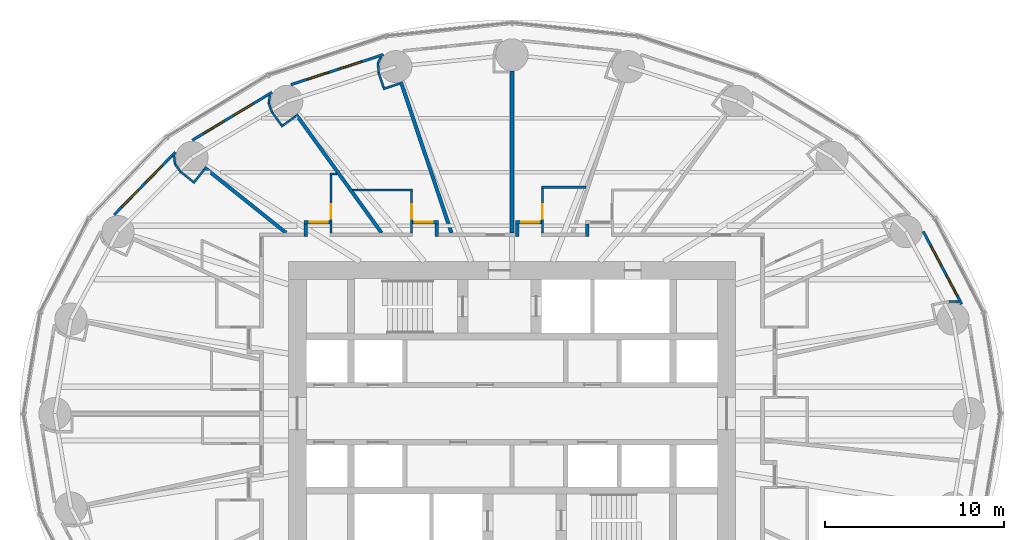
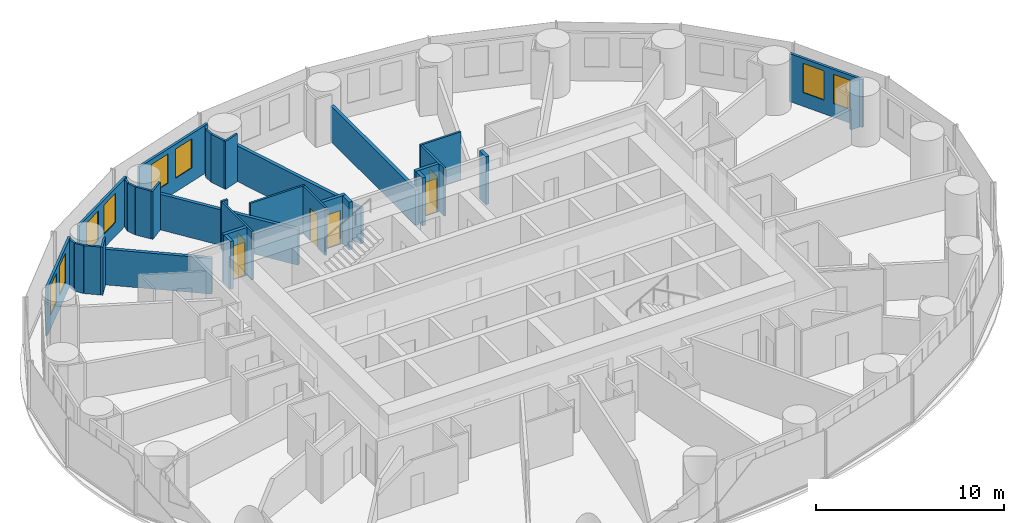
# One storey, part 11 of 14: 34 walls, 8 windows, 6 doors, 14 openings.
"""IFC4 building model written with IfcOpenShell, lengths in metres."""

from ifc_helpers import new_model, si_unit, direction, frame, frame_2d, origin, place, context, subcontext, project, spatial, rectangle, extrude, material, layer, layer_set, type_object, element, fill, save


model = new_model("IFC4")

# Units and contexts
model_context = context("Model", 3, precision=1e-05, world=origin(), true_north=direction((0.0, 1.0)))
body_context = subcontext(model_context, "Body", "Model", "MODEL_VIEW")
ifc_project = project(units=[si_unit("LENGTHUNIT", "METRE"), si_unit("AREAUNIT", "SQUARE_METRE"), si_unit("VOLUMEUNIT", "CUBIC_METRE"), si_unit("PLANEANGLEUNIT", "RADIAN"), si_unit("MASSUNIT", "GRAM", prefix="KILO")], contexts=[model_context])

# Site, building, storey
site_placement = place(None, origin())
site = spatial("IfcSite", under=ifc_project, at=site_placement, CompositionType="ELEMENT")
building_placement = place(site_placement, origin())
building = spatial("IfcBuilding", under=site, at=building_placement, Name="Hankou Lantern Tower", CompositionType="ELEMENT")
storey_placement = place(building_placement, frame((0.0, 0.0, 36.0)))
storey = spatial("IfcBuildingStorey", under=building, at=storey_placement, Name="L07", CompositionType="ELEMENT", Elevation=36.0)

# Wall, openings, windows
ifc_material_1 = material(Name="Aluminium spandrel panel on steel studs", Category="steel")
ifc_layer_1 = layer(ifc_material_1, 0.14990234375)
ifc_layer_set_1 = layer_set([ifc_layer_1], Name="Aluminium spandrel panel on steel studs")
wall_type_1 = type_object("IfcWallType", Name="EW1 INNER SKIN WALL 150", PredefinedType="ELEMENTEDWALL", material=ifc_layer_set_1)
wall_1_placement = place(storey_placement, frame((25.138671875, 6.11279296875, 0.0), z_axis=(0.0, 0.0, 1.0), x_axis=(-0.467303182954, 0.884097129959, 0.0)))
wall_1 = element("IfcWall", 1, at=wall_1_placement, inside=storey, type_object=wall_type_1, Name="Inner skin R02-R03 L07", PredefinedType="ELEMENTEDWALL", context=body_context, shape_type="SweptSolid", body=[
    extrude(rectangle(XDim=4.6064453125, YDim=0.14990234375, at=frame_2d((2.30322265625, 0.0))), origin(), (0.0, 0.0, 1.0), 3.1201171875),
])
opening_1_placement = place(wall_1_placement, frame((0.531494140625, 0.0, 0.89990234375)))
opening_1 = element("IfcOpeningElement", 2, at=opening_1_placement, cuts=wall_1, Name="Opening W9", PredefinedType="OPENING", context=body_context, shape_type="SweptSolid", body=[
    extrude(rectangle(XDim=1.300048828125, YDim=1.89990234375, at=frame_2d((0.64990234375, 0.949951171875))), frame((0.0, 0.0849609375, 0.0), z_axis=(0.0, -1.0, 0.0), x_axis=(1.0, 0.0, 0.0)), (0.0, 0.0, 1.0), 0.169921875),
])
opening_2_placement = place(wall_1_placement, frame((2.431640625, 0.0, 0.89990234375)))
opening_2 = element("IfcOpeningElement", 3, at=opening_2_placement, cuts=wall_1, Name="Opening W9", PredefinedType="OPENING", context=body_context, shape_type="SweptSolid", body=[
    extrude(rectangle(XDim=1.300048828125, YDim=1.89990234375, at=frame_2d((0.64990234375, 0.949951171875))), frame((0.0, 0.0849609375, 0.0), z_axis=(0.0, -1.0, 0.0), x_axis=(1.0, 0.0, 0.0)), (0.0, 0.0, 1.0), 0.169921875),
])
ifc_material_2 = material(Name="Aluminium framed double glazed window", Category="aluminium")
window_type = type_object("IfcWindowType", Name="W9 GUEST ROOM WINDOW 1300X1900", PartitioningType="DOUBLE_PANEL_VERTICAL", PredefinedType="WINDOW", material=ifc_material_2)
window_1_placement = place(opening_1_placement, origin())
window_1 = element("IfcWindow", 4, at=window_1_placement, inside=storey, type_object=window_type, Name="Window R02.1 L07", OverallHeight=1.89990234375, OverallWidth=1.300048828125, PartitioningType="SINGLE_PANEL", PredefinedType="WINDOW", context=body_context, shape_type="SweptSolid", body=[
    extrude(rectangle(XDim=1.300048828125, YDim=1.89990234375, at=frame_2d((0.64990234375, 0.949951171875))), frame((0.0, 0.030029296875, 0.0), z_axis=(0.0, -1.0, 0.0), x_axis=(1.0, 0.0, 0.0)), (0.0, 0.0, 1.0), 0.06005859375),
])
fill(opening_1, window_1)
window_2_placement = place(opening_2_placement, origin())
window_2 = element("IfcWindow", 5, at=window_2_placement, inside=storey, type_object=window_type, Name="Window R02.2 L07", OverallHeight=1.89990234375, OverallWidth=1.300048828125, PartitioningType="SINGLE_PANEL", PredefinedType="WINDOW", context=body_context, shape_type="SweptSolid", body=[
    extrude(rectangle(XDim=1.300048828125, YDim=1.89990234375, at=frame_2d((0.64990234375, 0.949951171875))), frame((0.0, 0.030029296875, 0.0), z_axis=(0.0, -1.0, 0.0), x_axis=(1.0, 0.0, 0.0)), (0.0, 0.0, 1.0), 0.06005859375),
])
fill(opening_2, window_2)

wall_2_placement = place(storey_placement, frame((-7.188232421875, 20.06494140625, 0.0), z_axis=(0.0, 0.0, 1.0), x_axis=(-0.951138486029, -0.308764603532, 0.0)))
wall_2 = element("IfcWall", 6, at=wall_2_placement, inside=storey, type_object=wall_type_1, Name="Inner skin R08-R09 L07", PredefinedType="ELEMENTEDWALL", context=body_context, shape_type="SweptSolid", body=[
    extrude(rectangle(XDim=5.444091796875, YDim=0.14990234375, at=frame_2d((2.72216796875, 0.0))), origin(), (0.0, 0.0, 1.0), 3.1201171875),
])
opening_3_placement = place(wall_2_placement, frame((1.2841796875, 0.0, 0.89990234375)))
opening_3 = element("IfcOpeningElement", 7, at=opening_3_placement, cuts=wall_2, Name="Opening W9", PredefinedType="OPENING", context=body_context, shape_type="SweptSolid", body=[
    extrude(rectangle(XDim=1.300048828125, YDim=1.89990234375, at=frame_2d((0.64990234375, 0.949951171875))), frame((0.0, 0.0849609375, 0.0), z_axis=(0.0, -1.0, 0.0), x_axis=(1.0, 0.0, 0.0)), (0.0, 0.0, 1.0), 0.169921875),
])
opening_4_placement = place(wall_2_placement, frame((3.18408203125, 0.0, 0.89990234375)))
opening_4 = element("IfcOpeningElement", 8, at=opening_4_placement, cuts=wall_2, Name="Opening W9", PredefinedType="OPENING", context=body_context, shape_type="SweptSolid", body=[
    extrude(rectangle(XDim=1.300048828125, YDim=1.89990234375, at=frame_2d((0.64990234375, 0.949951171875))), frame((0.0, 0.0849609375, 0.0), z_axis=(0.0, -1.0, 0.0), x_axis=(1.0, 0.0, 0.0)), (0.0, 0.0, 1.0), 0.169921875),
])
window_3_placement = place(opening_3_placement, origin())
window_3 = element("IfcWindow", 9, at=window_3_placement, inside=storey, type_object=window_type, Name="Window R08.1 L07", OverallHeight=1.89990234375, OverallWidth=1.300048828125, PartitioningType="SINGLE_PANEL", PredefinedType="WINDOW", context=body_context, shape_type="SweptSolid", body=[
    extrude(rectangle(XDim=1.300048828125, YDim=1.89990234375, at=frame_2d((0.64990234375, 0.949951171875))), frame((0.0, 0.030029296875, 0.0), z_axis=(0.0, -1.0, 0.0), x_axis=(1.0, 0.0, 0.0)), (0.0, 0.0, 1.0), 0.06005859375),
])
fill(opening_3, window_3)
window_4_placement = place(opening_4_placement, origin())
window_4 = element("IfcWindow", 10, at=window_4_placement, inside=storey, type_object=window_type, Name="Window R08.2 L07", OverallHeight=1.89990234375, OverallWidth=1.300048828125, PartitioningType="SINGLE_PANEL", PredefinedType="WINDOW", context=body_context, shape_type="SweptSolid", body=[
    extrude(rectangle(XDim=1.300048828125, YDim=1.89990234375, at=frame_2d((0.64990234375, 0.949951171875))), frame((0.0, 0.030029296875, 0.0), z_axis=(0.0, -1.0, 0.0), x_axis=(1.0, 0.0, 0.0)), (0.0, 0.0, 1.0), 0.06005859375),
])
fill(opening_4, window_4)

wall_3_placement = place(storey_placement, frame((-13.412109375, 17.957275390625, 0.0), z_axis=(0.0, 0.0, 1.0), x_axis=(-0.856958191554, -0.515385931054, 0.0)))
wall_3 = element("IfcWall", 11, at=wall_3_placement, inside=storey, type_object=wall_type_1, Name="Inner skin R09-R10 L07", PredefinedType="ELEMENTEDWALL", context=body_context, shape_type="SweptSolid", body=[
    extrude(rectangle(XDim=5.201171875, YDim=0.14990234375, at=frame_2d((2.6005859375, 0.0))), origin(), (0.0, 0.0, 1.0), 3.1201171875),
])
opening_5_placement = place(wall_3_placement, frame((1.22509765625, 0.0, 0.89990234375)))
opening_5 = element("IfcOpeningElement", 12, at=opening_5_placement, cuts=wall_3, Name="Opening W9", PredefinedType="OPENING", context=body_context, shape_type="SweptSolid", body=[
    extrude(rectangle(XDim=1.300048828125, YDim=1.89990234375, at=frame_2d((0.64990234375, 0.949951171875))), frame((0.0, 0.0849609375, 0.0), z_axis=(0.0, -1.0, 0.0), x_axis=(1.0, 0.0, 0.0)), (0.0, 0.0, 1.0), 0.169921875),
])
opening_6_placement = place(wall_3_placement, frame((3.125, 0.0, 0.89990234375)))
opening_6 = element("IfcOpeningElement", 13, at=opening_6_placement, cuts=wall_3, Name="Opening W9", PredefinedType="OPENING", context=body_context, shape_type="SweptSolid", body=[
    extrude(rectangle(XDim=1.300048828125, YDim=1.89990234375, at=frame_2d((0.64990234375, 0.949951171875))), frame((0.0, 0.0849609375, 0.0), z_axis=(0.0, -1.0, 0.0), x_axis=(1.0, 0.0, 0.0)), (0.0, 0.0, 1.0), 0.169921875),
])
window_5_placement = place(opening_5_placement, origin())
window_5 = element("IfcWindow", 14, at=window_5_placement, inside=storey, type_object=window_type, Name="Window R09.1 L07", OverallHeight=1.89990234375, OverallWidth=1.300048828125, PartitioningType="SINGLE_PANEL", PredefinedType="WINDOW", context=body_context, shape_type="SweptSolid", body=[
    extrude(rectangle(XDim=1.300048828125, YDim=1.89990234375, at=frame_2d((0.64990234375, 0.949951171875))), frame((0.0, 0.030029296875, 0.0), z_axis=(0.0, -1.0, 0.0), x_axis=(1.0, 0.0, 0.0)), (0.0, 0.0, 1.0), 0.06005859375),
])
fill(opening_5, window_5)
window_6_placement = place(opening_6_placement, origin())
window_6 = element("IfcWindow", 15, at=window_6_placement, inside=storey, type_object=window_type, Name="Window R09.2 L07", OverallHeight=1.89990234375, OverallWidth=1.300048828125, PartitioningType="SINGLE_PANEL", PredefinedType="WINDOW", context=body_context, shape_type="SweptSolid", body=[
    extrude(rectangle(XDim=1.300048828125, YDim=1.89990234375, at=frame_2d((0.64990234375, 0.949951171875))), frame((0.0, 0.030029296875, 0.0), z_axis=(0.0, -1.0, 0.0), x_axis=(1.0, 0.0, 0.0)), (0.0, 0.0, 1.0), 0.06005859375),
])
fill(opening_6, window_6)

wall_4_placement = place(storey_placement, frame((-18.8134765625, 14.606689453125, 0.0), z_axis=(0.0, 0.0, 1.0), x_axis=(-0.699612594083, -0.714522370679, 0.0)))
wall_4 = element("IfcWall", 16, at=wall_4_placement, inside=storey, type_object=wall_type_1, Name="Inner skin R10-R11 L07", PredefinedType="ELEMENTEDWALL", context=body_context, shape_type="SweptSolid", body=[
    extrude(rectangle(XDim=4.89599609375, YDim=0.14990234375, at=frame_2d((2.447998046875, 0.0))), origin(), (0.0, 0.0, 1.0), 3.1201171875),
])
opening_7_placement = place(wall_4_placement, frame((1.076904296875, 0.0, 0.89990234375)))
opening_7 = element("IfcOpeningElement", 17, at=opening_7_placement, cuts=wall_4, Name="Opening W9", PredefinedType="OPENING", context=body_context, shape_type="SweptSolid", body=[
    extrude(rectangle(XDim=1.300048828125, YDim=1.89990234375, at=frame_2d((0.64990234375, 0.949951171875))), frame((0.0, 0.0849609375, 0.0), z_axis=(0.0, -1.0, 0.0), x_axis=(1.0, 0.0, 0.0)), (0.0, 0.0, 1.0), 0.169921875),
])
opening_8_placement = place(wall_4_placement, frame((2.976806640625, 0.0, 0.89990234375)))
opening_8 = element("IfcOpeningElement", 18, at=opening_8_placement, cuts=wall_4, Name="Opening W9", PredefinedType="OPENING", context=body_context, shape_type="SweptSolid", body=[
    extrude(rectangle(XDim=1.300048828125, YDim=1.89990234375, at=frame_2d((0.64990234375, 0.949951171875))), frame((0.0, 0.0849609375, 0.0), z_axis=(0.0, -1.0, 0.0), x_axis=(1.0, 0.0, 0.0)), (0.0, 0.0, 1.0), 0.169921875),
])
window_7_placement = place(opening_7_placement, origin())
window_7 = element("IfcWindow", 19, at=window_7_placement, inside=storey, type_object=window_type, Name="Window R10.1 L07", OverallHeight=1.89990234375, OverallWidth=1.300048828125, PartitioningType="SINGLE_PANEL", PredefinedType="WINDOW", context=body_context, shape_type="SweptSolid", body=[
    extrude(rectangle(XDim=1.300048828125, YDim=1.89990234375, at=frame_2d((0.64990234375, 0.949951171875))), frame((0.0, 0.030029296875, 0.0), z_axis=(0.0, -1.0, 0.0), x_axis=(1.0, 0.0, 0.0)), (0.0, 0.0, 1.0), 0.06005859375),
])
fill(opening_7, window_7)
window_8_placement = place(opening_8_placement, origin())
window_8 = element("IfcWindow", 20, at=window_8_placement, inside=storey, type_object=window_type, Name="Window R10.2 L07", OverallHeight=1.89990234375, OverallWidth=1.300048828125, PartitioningType="SINGLE_PANEL", PredefinedType="WINDOW", context=body_context, shape_type="SweptSolid", body=[
    extrude(rectangle(XDim=1.300048828125, YDim=1.89990234375, at=frame_2d((0.64990234375, 0.949951171875))), frame((0.0, 0.030029296875, 0.0), z_axis=(0.0, -1.0, 0.0), x_axis=(1.0, 0.0, 0.0)), (0.0, 0.0, 1.0), 0.06005859375),
])
fill(opening_8, window_8)

# Walls
ifc_material_3 = material(Name="Masonry lightweight concrete block", Category="masonry")
ifc_layer_2 = layer(ifc_material_3, 0.199951171875)
ifc_layer_set_2 = layer_set([ifc_layer_2], Name="Masonry lightweight concrete block")
wall_type_2 = type_object("IfcWallType", Name="IW1 GUEST ROOM PARTY WALL 200", PredefinedType="PARTITIONING", material=ifc_layer_set_2)
wall_5_placement = place(storey_placement, frame((-7.2890625, 10.10009765625, 0.0), z_axis=(0.0, 0.0, 1.0), x_axis=(-0.585216319319, 0.810877216108, 0.0)))
element("IfcWall", 21, at=wall_5_placement, inside=storey, type_object=wall_type_2, Name="Party wall R09", PredefinedType="PARTITIONING", context=body_context, shape_type="SweptSolid", body=[
    extrude(rectangle(XDim=8.15966796875, YDim=0.199951171875, at=frame_2d((4.079833984375, 0.0))), origin(), (0.0, 0.0, 1.0), 2.320068359375),
])
wall_6_placement = place(storey_placement, frame((-12.625, 10.10009765625, 0.0), z_axis=(0.0, 0.0, 1.0), x_axis=(-0.780872884676, 0.624689953479, 0.0)))
element("IfcWall", 22, at=wall_6_placement, inside=storey, type_object=wall_type_2, Name="Party wall R10", PredefinedType="PARTITIONING", context=body_context, shape_type="SweptSolid", body=[
    extrude(rectangle(XDim=5.8447265625, YDim=0.199951171875, at=frame_2d((2.92236328125, 0.0))), origin(), (0.0, 0.0, 1.0), 2.320068359375),
])
ifc_material_4 = material(Name="Masonry lightweight concrete block", Category="masonry")
ifc_layer_3 = layer(ifc_material_4, 0.199951171875)
ifc_layer_set_3 = layer_set([ifc_layer_3], Name="Masonry lightweight concrete block")
wall_type_3 = type_object("IfcWallType", Name="IW2 CORRIDOR WALL 200", PredefinedType="PARTITIONING", material=ifc_layer_set_3)
wall_7_placement = place(storey_placement, frame((4.208984375, 9.89990234375, 0.0), z_axis=(0.0, 0.0, 1.0), x_axis=(0.0, 1.0, 0.0)))
element("IfcWall", 23, at=wall_7_placement, inside=storey, type_object=wall_type_3, Name="Corridor recess wall 0707 side", PredefinedType="PARTITIONING", context=body_context, shape_type="SweptSolid", body=[
    extrude(rectangle(XDim=0.7001953125, YDim=0.199951171875, at=frame_2d((0.35009765625, 0.0))), origin(), (0.0, 0.0, 1.0), 3.1201171875),
])

# Wall, opening, door
wall_8_placement = place(storey_placement, frame((0.202880859375, 10.699951171875, 0.0), z_axis=(0.0, 0.0, 1.0), x_axis=(1.0, 0.0, 0.0)))
wall_8 = element("IfcWall", 24, at=wall_8_placement, inside=storey, type_object=wall_type_3, Name="Corridor recess wall 0708 back", PredefinedType="PARTITIONING", context=body_context, shape_type="SweptSolid", body=[
    extrude(rectangle(XDim=1.43994140625, YDim=0.199951171875, at=frame_2d((0.719970703125, 0.0))), origin(), (0.0, 0.0, 1.0), 3.1201171875),
])
opening_9_placement = place(wall_8_placement, frame((0.320068359375, 0.0, 0.0)))
opening_9 = element("IfcOpeningElement", 25, at=opening_9_placement, cuts=wall_8, Name="Opening D1", PredefinedType="OPENING", context=body_context, shape_type="SweptSolid", body=[
    extrude(rectangle(XDim=1.0, YDim=2.199951171875, at=frame_2d((0.5, 1.10009765625))), frame((0.0, 0.10986328125, 0.0), z_axis=(0.0, -1.0, 0.0), x_axis=(1.0, 0.0, 0.0)), (0.0, 0.0, 1.0), 0.219970703125),
])
ifc_material_5 = material(Name="Steel door leaf", Category="steel")
door_type_1 = type_object("IfcDoorType", Name="D1 GUEST ROOM DOOR 1000X2200", OperationType="SINGLE_SWING_LEFT", PredefinedType="DOOR", material=ifc_material_5)
door_1_placement = place(opening_9_placement, origin())
door_1 = element("IfcDoor", 26, at=door_1_placement, inside=storey, type_object=door_type_1, Name="Guest room door 0708", OperationType="SINGLE_SWING_RIGHT", OverallHeight=2.199951171875, OverallWidth=1.0, PredefinedType="DOOR", context=body_context, shape_type="SweptSolid", body=[
    extrude(rectangle(XDim=1.0, YDim=2.199951171875, at=frame_2d((0.5, 1.10009765625))), frame((0.0, 0.02490234375, 0.0), z_axis=(0.0, -1.0, 0.0), x_axis=(1.0, 0.0, 0.0)), (0.0, 0.0, 1.0), 0.050048828125),
])
fill(opening_9, door_1)

# Wall
wall_9_placement = place(storey_placement, frame((0.302978515625, 9.89990234375, 0.0), z_axis=(0.0, 0.0, 1.0), x_axis=(0.0, 1.0, 0.0)))
element("IfcWall", 27, at=wall_9_placement, inside=storey, type_object=wall_type_3, Name="Corridor recess wall 0708 side", PredefinedType="PARTITIONING", context=body_context, shape_type="SweptSolid", body=[
    extrude(rectangle(XDim=0.7001953125, YDim=0.199951171875, at=frame_2d((0.35009765625, 0.0))), origin(), (0.0, 0.0, 1.0), 3.1201171875),
])

# Wall, opening, door
wall_10_placement = place(storey_placement, frame((-5.549072265625, 10.699951171875, 0.0), z_axis=(0.0, 0.0, 1.0), x_axis=(1.0, 0.0, 0.0)))
wall_10 = element("IfcWall", 28, at=wall_10_placement, inside=storey, type_object=wall_type_3, Name="Corridor recess wall 0710 back", PredefinedType="PARTITIONING", context=body_context, shape_type="SweptSolid", body=[
    extrude(rectangle(XDim=1.43994140625, YDim=0.199951171875, at=frame_2d((0.719970703125, 0.0))), origin(), (0.0, 0.0, 1.0), 3.1201171875),
])
opening_10_placement = place(wall_10_placement, frame((0.1201171875, 0.0, 0.0)))
opening_10 = element("IfcOpeningElement", 29, at=opening_10_placement, cuts=wall_10, Name="Opening D1", PredefinedType="OPENING", context=body_context, shape_type="SweptSolid", body=[
    extrude(rectangle(XDim=1.0, YDim=2.199951171875, at=frame_2d((0.5, 1.10009765625))), frame((0.0, 0.10986328125, 0.0), z_axis=(0.0, -1.0, 0.0), x_axis=(1.0, 0.0, 0.0)), (0.0, 0.0, 1.0), 0.219970703125),
])
door_2_placement = place(opening_10_placement, origin())
door_2 = element("IfcDoor", 30, at=door_2_placement, inside=storey, type_object=door_type_1, Name="Guest room door 0710", OperationType="SINGLE_SWING_LEFT", OverallHeight=2.199951171875, OverallWidth=1.0, PredefinedType="DOOR", context=body_context, shape_type="SweptSolid", body=[
    extrude(rectangle(XDim=1.0, YDim=2.199951171875, at=frame_2d((0.5, 1.10009765625))), frame((0.0, 0.02490234375, 0.0), z_axis=(0.0, -1.0, 0.0), x_axis=(1.0, 0.0, 0.0)), (0.0, 0.0, 1.0), 0.050048828125),
])
fill(opening_10, door_2)

# Wall
wall_11_placement = place(storey_placement, frame((-4.208984375, 9.89990234375, 0.0), z_axis=(0.0, 0.0, 1.0), x_axis=(0.0, 1.0, 0.0)))
element("IfcWall", 31, at=wall_11_placement, inside=storey, type_object=wall_type_3, Name="Corridor recess wall 0710 side", PredefinedType="PARTITIONING", context=body_context, shape_type="SweptSolid", body=[
    extrude(rectangle(XDim=0.7001953125, YDim=0.199951171875, at=frame_2d((0.35009765625, 0.0))), origin(), (0.0, 0.0, 1.0), 3.1201171875),
])

# Wall, opening, door
wall_12_placement = place(storey_placement, frame((-11.619140625, 10.699951171875, 0.0), z_axis=(0.0, 0.0, 1.0), x_axis=(1.0, 0.0, 0.0)))
wall_12 = element("IfcWall", 32, at=wall_12_placement, inside=storey, type_object=wall_type_3, Name="Corridor recess wall 0711 back", PredefinedType="PARTITIONING", context=body_context, shape_type="SweptSolid", body=[
    extrude(rectangle(XDim=1.440185546875, YDim=0.199951171875, at=frame_2d((0.72021484375, 0.0))), origin(), (0.0, 0.0, 1.0), 3.1201171875),
])
opening_11_placement = place(wall_12_placement, frame((0.320068359375, 0.0, 0.0)))
opening_11 = element("IfcOpeningElement", 33, at=opening_11_placement, cuts=wall_12, Name="Opening D1", PredefinedType="OPENING", context=body_context, shape_type="SweptSolid", body=[
    extrude(rectangle(XDim=1.0, YDim=2.199951171875, at=frame_2d((0.5, 1.10009765625))), frame((0.0, 0.10986328125, 0.0), z_axis=(0.0, -1.0, 0.0), x_axis=(1.0, 0.0, 0.0)), (0.0, 0.0, 1.0), 0.219970703125),
])
door_3_placement = place(opening_11_placement, origin())
door_3 = element("IfcDoor", 34, at=door_3_placement, inside=storey, type_object=door_type_1, Name="Guest room door 0711", OperationType="SINGLE_SWING_RIGHT", OverallHeight=2.199951171875, OverallWidth=1.0, PredefinedType="DOOR", context=body_context, shape_type="SweptSolid", body=[
    extrude(rectangle(XDim=1.0, YDim=2.199951171875, at=frame_2d((0.5, 1.10009765625))), frame((0.0, 0.02490234375, 0.0), z_axis=(0.0, -1.0, 0.0), x_axis=(1.0, 0.0, 0.0)), (0.0, 0.0, 1.0), 0.050048828125),
])
fill(opening_11, door_3)

# Walls
wall_13_placement = place(storey_placement, frame((-11.51904296875, 9.89990234375, 0.0), z_axis=(0.0, 0.0, 1.0), x_axis=(0.0, 1.0, 0.0)))
element("IfcWall", 35, at=wall_13_placement, inside=storey, type_object=wall_type_3, Name="Corridor recess wall 0711 side", PredefinedType="PARTITIONING", context=body_context, shape_type="SweptSolid", body=[
    extrude(rectangle(XDim=0.7001953125, YDim=0.199951171875, at=frame_2d((0.35009765625, 0.0))), origin(), (0.0, 0.0, 1.0), 3.1201171875),
])
ifc_material_6 = material(Name="Masonry lightweight concrete block", Category="masonry")
ifc_layer_4 = layer(ifc_material_6, 0.1201171875)
ifc_layer_set_4 = layer_set([ifc_layer_4], Name="Masonry lightweight concrete block")
wall_type_4 = type_object("IfcWallType", Name="IW3 BATHROOM WALL 120", PredefinedType="PARTITIONING", material=ifc_layer_set_4)
wall_14_placement = place(storey_placement, frame((4.136962890625, 12.64990234375, 0.0), z_axis=(0.0, 0.0, 1.0), x_axis=(-1.0, 0.0, 0.0)))
element("IfcWall", 36, at=wall_14_placement, inside=storey, type_object=wall_type_4, Name="Box wall 0708 1", PredefinedType="PARTITIONING", context=body_context, shape_type="SweptSolid", body=[
    extrude(rectangle(XDim=2.494140625, YDim=0.1201171875, at=frame_2d((1.2470703125, 0.0))), origin(), (0.0, 0.0, 1.0), 3.1201171875),
])

# Wall, opening, door
wall_15_placement = place(storey_placement, frame((1.702880859375, 10.10009765625, 0.0), z_axis=(0.0, 0.0, 1.0), x_axis=(0.0, 1.0, 0.0)))
wall_15 = element("IfcWall", 37, at=wall_15_placement, inside=storey, type_object=wall_type_4, Name="Box wall 0708 1", PredefinedType="PARTITIONING", context=body_context, shape_type="SweptSolid", body=[
    extrude(rectangle(XDim=2.489990234375, YDim=0.1201171875, at=frame_2d((1.2451171875, 0.0))), origin(), (0.0, 0.0, 1.0), 3.1201171875),
])
opening_12_placement = place(wall_15_placement, frame((0.800048828125, 0.0, 0.0)))
opening_12 = element("IfcOpeningElement", 38, at=opening_12_placement, cuts=wall_15, Name="Opening D3", PredefinedType="OPENING", context=body_context, shape_type="SweptSolid", body=[
    extrude(rectangle(XDim=0.800048828125, YDim=2.10009765625, at=frame_2d((0.39990234375, 1.050048828125))), frame((0.0, 0.070068359375, 0.0), z_axis=(0.0, -1.0, 0.0), x_axis=(1.0, 0.0, 0.0)), (0.0, 0.0, 1.0), 0.14013671875),
])
ifc_material_7 = material(Name="Timber door leaf", Category="wood")
door_type_2 = type_object("IfcDoorType", Name="D3 BATHROOM DOOR 800X2100", OperationType="SINGLE_SWING_LEFT", PredefinedType="DOOR", material=ifc_material_7)
door_4_placement = place(opening_12_placement, origin())
door_4 = element("IfcDoor", 39, at=door_4_placement, inside=storey, type_object=door_type_2, Name="En-suite bathroom 0708 door", OperationType="SINGLE_SWING_LEFT", OverallHeight=2.10009765625, OverallWidth=0.800048828125, PredefinedType="DOOR", context=body_context, shape_type="SweptSolid", body=[
    extrude(rectangle(XDim=0.800048828125, YDim=2.10009765625, at=frame_2d((0.39990234375, 1.050048828125))), frame((0.0, 0.02490234375, 0.0), z_axis=(0.0, -1.0, 0.0), x_axis=(1.0, 0.0, 0.0)), (0.0, 0.0, 1.0), 0.050048828125),
])
fill(opening_12, door_4)

# Wall
wall_16_placement = place(storey_placement, frame((-8.921142578125, 12.5, 0.0), z_axis=(0.0, 0.0, 1.0), x_axis=(1.0, 0.0, 0.0)))
element("IfcWall", 40, at=wall_16_placement, inside=storey, type_object=wall_type_4, Name="Box wall 0710 1", PredefinedType="PARTITIONING", context=body_context, shape_type="SweptSolid", body=[
    extrude(rectangle(XDim=3.3720703125, YDim=0.1201171875, at=frame_2d((1.68603515625, 0.0))), origin(), (0.0, 0.0, 1.0), 3.1201171875),
])

# Wall, opening, door
wall_17_placement = place(storey_placement, frame((-5.609130859375, 10.10009765625, 0.0), z_axis=(0.0, 0.0, 1.0), x_axis=(0.0, 1.0, 0.0)))
wall_17 = element("IfcWall", 41, at=wall_17_placement, inside=storey, type_object=wall_type_4, Name="Box wall 0710 1", PredefinedType="PARTITIONING", context=body_context, shape_type="SweptSolid", body=[
    extrude(rectangle(XDim=2.33984375, YDim=0.1201171875, at=frame_2d((1.169921875, 0.0))), origin(), (0.0, 0.0, 1.0), 3.1201171875),
])
opening_13_placement = place(wall_17_placement, frame((0.800048828125, 0.0, 0.0)))
opening_13 = element("IfcOpeningElement", 42, at=opening_13_placement, cuts=wall_17, Name="Opening D3", PredefinedType="OPENING", context=body_context, shape_type="SweptSolid", body=[
    extrude(rectangle(XDim=0.800048828125, YDim=2.10009765625, at=frame_2d((0.39990234375, 1.050048828125))), frame((0.0, 0.070068359375, 0.0), z_axis=(0.0, -1.0, 0.0), x_axis=(1.0, 0.0, 0.0)), (0.0, 0.0, 1.0), 0.14013671875),
])
door_5_placement = place(opening_13_placement, origin())
door_5 = element("IfcDoor", 43, at=door_5_placement, inside=storey, type_object=door_type_2, Name="En-suite bathroom 0710 door", OperationType="SINGLE_SWING_RIGHT", OverallHeight=2.10009765625, OverallWidth=0.800048828125, PredefinedType="DOOR", context=body_context, shape_type="SweptSolid", body=[
    extrude(rectangle(XDim=0.800048828125, YDim=2.10009765625, at=frame_2d((0.39990234375, 1.050048828125))), frame((0.0, 0.02490234375, 0.0), z_axis=(0.0, -1.0, 0.0), x_axis=(1.0, 0.0, 0.0)), (0.0, 0.0, 1.0), 0.050048828125),
])
fill(opening_13, door_5)

# Wall
wall_18_placement = place(storey_placement, frame((-9.7705078125, 13.39990234375, 0.0), z_axis=(0.0, 0.0, 1.0), x_axis=(-1.0, 0.0, 0.0)))
element("IfcWall", 44, at=wall_18_placement, inside=storey, type_object=wall_type_4, Name="Box wall 0711 1", PredefinedType="PARTITIONING", context=body_context, shape_type="SweptSolid", body=[
    extrude(rectangle(XDim=0.408447265625, YDim=0.1201171875, at=frame_2d((0.2041015625, 0.0))), origin(), (0.0, 0.0, 1.0), 3.1201171875),
])

# Wall, opening, door
wall_19_placement = place(storey_placement, frame((-10.119140625, 10.10009765625, 0.0), z_axis=(0.0, 0.0, 1.0), x_axis=(0.0, 1.0, 0.0)))
wall_19 = element("IfcWall", 45, at=wall_19_placement, inside=storey, type_object=wall_type_4, Name="Box wall 0711 1", PredefinedType="PARTITIONING", context=body_context, shape_type="SweptSolid", body=[
    extrude(rectangle(XDim=3.239990234375, YDim=0.1201171875, at=frame_2d((1.6201171875, 0.0))), origin(), (0.0, 0.0, 1.0), 3.1201171875),
])
opening_14_placement = place(wall_19_placement, frame((0.800048828125, 0.0, 0.0)))
opening_14 = element("IfcOpeningElement", 46, at=opening_14_placement, cuts=wall_19, Name="Opening D3", PredefinedType="OPENING", context=body_context, shape_type="SweptSolid", body=[
    extrude(rectangle(XDim=0.800048828125, YDim=2.10009765625, at=frame_2d((0.39990234375, 1.050048828125))), frame((0.0, 0.070068359375, 0.0), z_axis=(0.0, -1.0, 0.0), x_axis=(1.0, 0.0, 0.0)), (0.0, 0.0, 1.0), 0.14013671875),
])
door_6_placement = place(opening_14_placement, origin())
door_6 = element("IfcDoor", 47, at=door_6_placement, inside=storey, type_object=door_type_2, Name="En-suite bathroom 0711 door", OperationType="SINGLE_SWING_LEFT", OverallHeight=2.10009765625, OverallWidth=0.800048828125, PredefinedType="DOOR", context=body_context, shape_type="SweptSolid", body=[
    extrude(rectangle(XDim=0.800048828125, YDim=2.10009765625, at=frame_2d((0.39990234375, 1.050048828125))), frame((0.0, 0.02490234375, 0.0), z_axis=(0.0, -1.0, 0.0), x_axis=(1.0, 0.0, 0.0)), (0.0, 0.0, 1.0), 0.050048828125),
])
fill(opening_14, door_6)

# Walls
ifc_material_8 = material(Name="Masonry lightweight concrete block", Category="masonry")
ifc_layer_5 = layer(ifc_material_8, 0.1201171875)
ifc_layer_set_5 = layer_set([ifc_layer_5], Name="Masonry lightweight concrete block")
wall_type_5 = type_object("IfcWallType", Name="IW4 PARTITION 120", PredefinedType="PARTITIONING", material=ifc_layer_set_5)
wall_20_placement = place(storey_placement, frame((24.434326171875, 6.275390625, 0.0), z_axis=(0.0, 0.0, 1.0), x_axis=(0.998714959873, -0.050679669751, 0.0)))
element("IfcWall", 48, at=wall_20_placement, inside=storey, type_object=wall_type_5, Name="Column casing R02", PredefinedType="PARTITIONING", context=body_context, shape_type="SweptSolid", body=[
    extrude(rectangle(XDim=0.525146484375, YDim=0.1201171875, at=frame_2d((0.2626953125, 0.0))), origin(), (0.0, 0.0, 1.0), 3.1201171875),
])
wall_21_placement = place(storey_placement, frame((-6.284912109375, 18.44921875, 0.0), z_axis=(0.0, 0.0, 1.0), x_axis=(-0.948281677008, -0.317430088446, 0.0)))
element("IfcWall", 49, at=wall_21_placement, inside=storey, type_object=wall_type_5, Name="Column casing R08 return", PredefinedType="PARTITIONING", context=body_context, shape_type="SweptSolid", body=[
    extrude(rectangle(XDim=0.974365234375, YDim=0.1201171875, at=frame_2d((0.4873046875, 0.0))), origin(), (0.0, 0.0, 1.0), 3.1201171875),
])
wall_22_placement = place(storey_placement, frame((-7.171142578125, 18.2158203125, 0.0), z_axis=(0.0, 0.0, 1.0), x_axis=(-0.317692409458, 0.94819382669, 0.0)))
element("IfcWall", 50, at=wall_22_placement, inside=storey, type_object=wall_type_5, Name="Column casing R08", PredefinedType="PARTITIONING", context=body_context, shape_type="SweptSolid", body=[
    extrude(rectangle(XDim=0.89990234375, YDim=0.1201171875, at=frame_2d((0.449951171875, 0.0))), origin(), (0.0, 0.0, 1.0), 3.1201171875),
])
wall_23_placement = place(storey_placement, frame((-7.45703125, 19.069091796875, 0.0), z_axis=(0.0, 0.0, 1.0), x_axis=(-0.061365267648, 0.99811537606, 0.0)))
element("IfcWall", 51, at=wall_23_placement, inside=storey, type_object=wall_type_5, Name="Column casing R08", PredefinedType="PARTITIONING", context=body_context, shape_type="SweptSolid", body=[
    extrude(rectangle(XDim=0.525146484375, YDim=0.1201171875, at=frame_2d((0.2626953125, 0.0))), origin(), (0.0, 0.0, 1.0), 3.1201171875),
])
wall_24_placement = place(storey_placement, frame((-7.4892578125, 19.59326171875, 0.0), z_axis=(0.0, 0.0, 1.0), x_axis=(0.446218959337, 0.89492381817, 0.0)))
element("IfcWall", 52, at=wall_24_placement, inside=storey, type_object=wall_type_5, Name="Column casing R08", PredefinedType="PARTITIONING", context=body_context, shape_type="SweptSolid", body=[
    extrude(rectangle(XDim=0.392822265625, YDim=0.1201171875, at=frame_2d((0.1962890625, 0.0))), origin(), (0.0, 0.0, 1.0), 3.1201171875),
])
wall_25_placement = place(storey_placement, frame((-12.110107421875, 16.609375, 0.0), z_axis=(0.0, 0.0, 1.0), x_axis=(-0.810897160646, -0.585188683123, 0.0)))
element("IfcWall", 53, at=wall_25_placement, inside=storey, type_object=wall_type_5, Name="Column casing R09 return", PredefinedType="PARTITIONING", context=body_context, shape_type="SweptSolid", body=[
    extrude(rectangle(XDim=0.974609375, YDim=0.1201171875, at=frame_2d((0.4873046875, 0.0))), origin(), (0.0, 0.0, 1.0), 3.1201171875),
])
wall_26_placement = place(storey_placement, frame((-12.886962890625, 16.122802734375, 0.0), z_axis=(0.0, 0.0, 1.0), x_axis=(-0.585054732094, 0.810993810367, 0.0)))
element("IfcWall", 54, at=wall_26_placement, inside=storey, type_object=wall_type_5, Name="Column casing R09", PredefinedType="PARTITIONING", context=body_context, shape_type="SweptSolid", body=[
    extrude(rectangle(XDim=0.900146484375, YDim=0.1201171875, at=frame_2d((0.4501953125, 0.0))), origin(), (0.0, 0.0, 1.0), 3.1201171875),
])
wall_27_placement = place(storey_placement, frame((-13.41357421875, 16.852783203125, 0.0), z_axis=(0.0, 0.0, 1.0), x_axis=(-0.355705277023, 0.934598178844, 0.0)))
element("IfcWall", 55, at=wall_27_placement, inside=storey, type_object=wall_type_5, Name="Column casing R09", PredefinedType="PARTITIONING", context=body_context, shape_type="SweptSolid", body=[
    extrude(rectangle(XDim=0.525146484375, YDim=0.1201171875, at=frame_2d((0.2626953125, 0.0))), origin(), (0.0, 0.0, 1.0), 3.1201171875),
])
wall_28_placement = place(storey_placement, frame((-13.600341796875, 17.343505859375, 0.0), z_axis=(0.0, 0.0, 1.0), x_axis=(0.15994604532, 0.987125758243, 0.0)))
element("IfcWall", 56, at=wall_28_placement, inside=storey, type_object=wall_type_5, Name="Column casing R09", PredefinedType="PARTITIONING", context=body_context, shape_type="SweptSolid", body=[
    extrude(rectangle(XDim=0.46240234375, YDim=0.1201171875, at=frame_2d((0.231201171875, 0.0))), origin(), (0.0, 0.0, 1.0), 3.1201171875),
])
wall_29_placement = place(storey_placement, frame((-17.20458984375, 13.635498046875, 0.0), z_axis=(0.0, 0.0, 1.0), x_axis=(-0.624756144097, -0.780819928289, 0.0)))
element("IfcWall", 57, at=wall_29_placement, inside=storey, type_object=wall_type_5, Name="Column casing R10 return", PredefinedType="PARTITIONING", context=body_context, shape_type="SweptSolid", body=[
    extrude(rectangle(XDim=0.974609375, YDim=0.1201171875, at=frame_2d((0.4873046875, 0.0))), origin(), (0.0, 0.0, 1.0), 3.1201171875),
])
wall_30_placement = place(storey_placement, frame((-17.82275390625, 12.958984375, 0.0), z_axis=(0.0, 0.0, 1.0), x_axis=(-0.780895271023, 0.624661969144, 0.0)))
element("IfcWall", 58, at=wall_30_placement, inside=storey, type_object=wall_type_5, Name="Column casing R10", PredefinedType="PARTITIONING", context=body_context, shape_type="SweptSolid", body=[
    extrude(rectangle(XDim=0.900146484375, YDim=0.1201171875, at=frame_2d((0.4501953125, 0.0))), origin(), (0.0, 0.0, 1.0), 3.1201171875),
])
wall_31_placement = place(storey_placement, frame((-18.525634765625, 13.521240234375, 0.0), z_axis=(0.0, 0.0, 1.0), x_axis=(-0.592532503205, 0.805546542818, 0.0)))
element("IfcWall", 59, at=wall_31_placement, inside=storey, type_object=wall_type_5, Name="Column casing R10", PredefinedType="PARTITIONING", context=body_context, shape_type="SweptSolid", body=[
    extrude(rectangle(XDim=0.52490234375, YDim=0.1201171875, at=frame_2d((0.262451171875, 0.0))), origin(), (0.0, 0.0, 1.0), 3.1201171875),
])
wall_32_placement = place(storey_placement, frame((-18.836669921875, 13.944091796875, 0.0), z_axis=(0.0, 0.0, 1.0), x_axis=(-0.110543348478, 0.993871303594, 0.0)))
element("IfcWall", 60, at=wall_32_placement, inside=storey, type_object=wall_type_5, Name="Column casing R10", PredefinedType="PARTITIONING", context=body_context, shape_type="SweptSolid", body=[
    extrude(rectangle(XDim=0.479248046875, YDim=0.1201171875, at=frame_2d((0.23974609375, 0.0))), origin(), (0.0, 0.0, 1.0), 3.1201171875),
])
ifc_material_9 = material(Name="Masonry lightweight concrete block", Category="masonry")
ifc_layer_6 = layer(ifc_material_9, 0.199951171875)
ifc_layer_set_6 = layer_set([ifc_layer_6], Name="Masonry lightweight concrete block")
wall_type_6 = type_object("IfcWallType", Name="IW8 PARTITION 200", PredefinedType="PARTITIONING", material=ifc_layer_set_6)
wall_33_placement = place(storey_placement, frame((0.0, 10.10009765625, 0.0), z_axis=(0.0, 0.0, 1.0), x_axis=(0.0, 1.0, 0.0)))
element("IfcWall", 61, at=wall_33_placement, inside=storey, type_object=wall_type_6, Name="Partition R07", PredefinedType="PARTITIONING", context=body_context, shape_type="SweptSolid", body=[
    extrude(rectangle(XDim=9.0498046875, YDim=0.199951171875, at=frame_2d((4.52490234375, 0.0))), origin(), (0.0, 0.0, 1.0), 2.320068359375),
])
wall_34_placement = place(storey_placement, frame((-3.3828125, 10.10009765625, 0.0), z_axis=(0.0, 0.0, 1.0), x_axis=(-0.317593727596, 0.948226884344, 0.0)))
element("IfcWall", 62, at=wall_34_placement, inside=storey, type_object=wall_type_6, Name="Partition R08", PredefinedType="PARTITIONING", context=body_context, shape_type="SweptSolid", body=[
    extrude(rectangle(XDim=8.898681640625, YDim=0.199951171875, at=frame_2d((4.44921875, 0.0))), origin(), (0.0, 0.0, 1.0), 2.320068359375),
])

save(model, "model.ifc")
